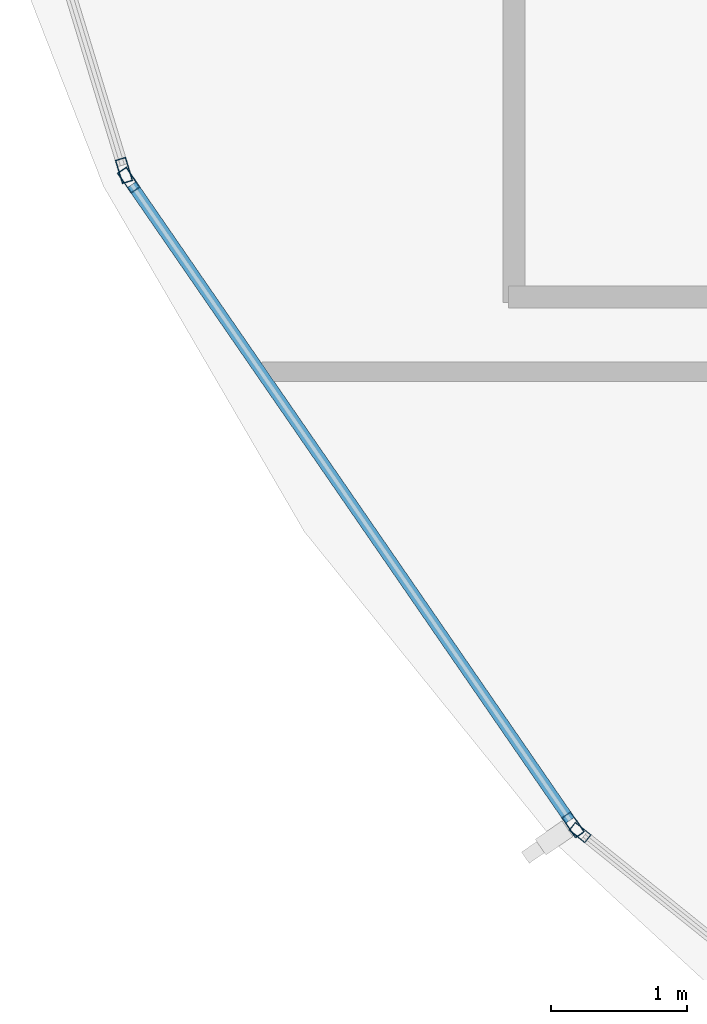
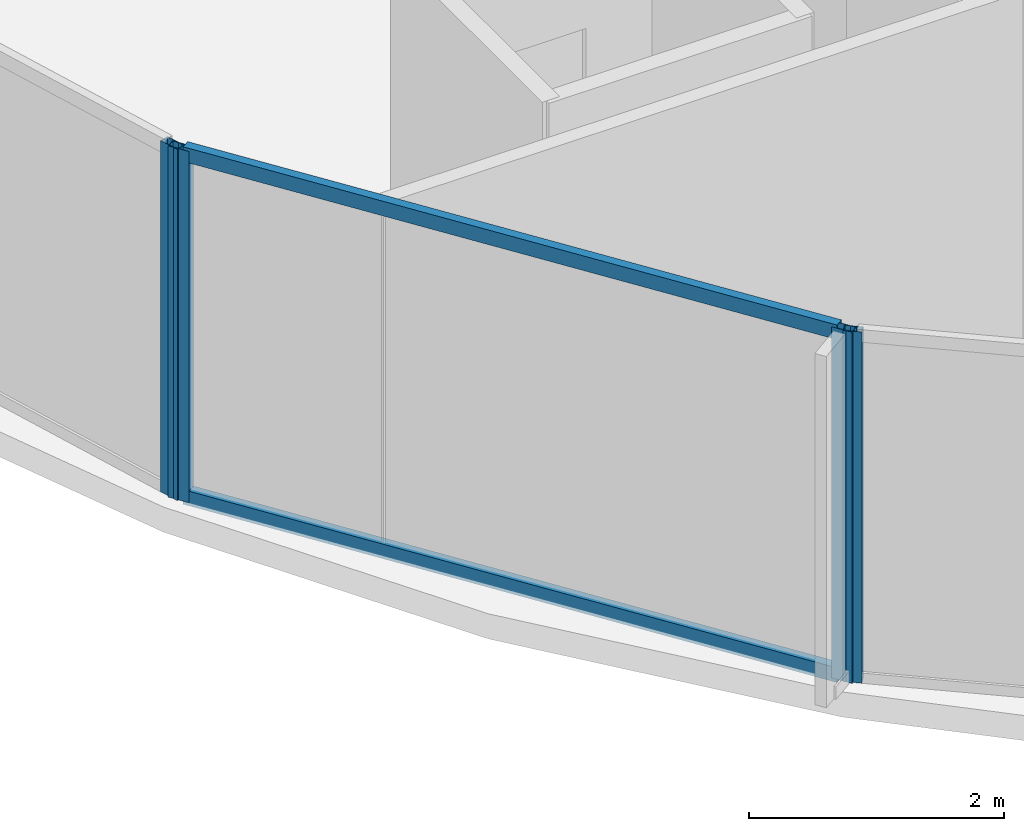
# One storey, part 3 of 33: 6 members, 3 elements without a shape of their own.
"""IFC4 building model written with IfcOpenShell, lengths in metres."""

from ifc_helpers import new_model, si_unit, direction, frame, origin, origin_2d, place, context, subcontext, project, spatial, hollow_rectangle, extrude, material, layer, layer_set, material_profile, profile_set, type_object, element, aggregate, save


model = new_model("IFC4")

# Units and contexts
model_context = context("Model", 3, precision=1e-05, world=origin(), true_north=direction((0.0, 1.0)))
body_context = subcontext(model_context, "Body", "Model", "MODEL_VIEW")
ifc_project = project(units=[si_unit("LENGTHUNIT", "METRE"), si_unit("AREAUNIT", "SQUARE_METRE"), si_unit("VOLUMEUNIT", "CUBIC_METRE"), si_unit("PLANEANGLEUNIT", "RADIAN"), si_unit("MASSUNIT", "GRAM", prefix="KILO")], contexts=[model_context])

# Site, building, storey
site_placement = place(None, origin())
site = spatial("IfcSite", under=ifc_project, at=site_placement, CompositionType="ELEMENT")
building_placement = place(site_placement, origin())
building = spatial("IfcBuilding", under=site, at=building_placement, Name="Kazevale Care Tower and Concert Hall", CompositionType="ELEMENT")
storey_placement = place(building_placement, frame((0.0, 0.0, 145.800048828125)))
storey = spatial("IfcBuildingStorey", under=building, at=storey_placement, Name="L38", CompositionType="ELEMENT", Elevation=145.800048828125)

# Curtain wall, members
ifc_material_1 = material(Name="Aluminium 6063-T6 and Low-E Glass", Category="aluminium")
ifc_layer_1 = layer(ifc_material_1, 0.179931640625)
ifc_layer_set_1 = layer_set([ifc_layer_1], Name="Aluminium 6063-T6 and Low-E Glass")
curtain_wall_type_1 = type_object("IfcCurtainWallType", Name="Waist & Upper Residential Curtain Wall CW-4", PredefinedType="NOTDEFINED", material=ifc_layer_set_1)
curtain_wall_1_placement = place(storey_placement, origin())
curtain_wall_1 = element("IfcCurtainWall", 1, at=curtain_wall_1_placement, inside=storey, type_object=curtain_wall_type_1, Name="cw:L38:f11", PredefinedType="NOTDEFINED")
ifc_material_2 = material(Name="Aluminium 6063-T6", Category="aluminium")
ifc_material_profile_1 = material_profile(ifc_material_2, hollow_rectangle(XDim=0.080078125, YDim=0.179931640625, WallThickness=0.0048828125, at=origin_2d()), Name="ALU80x180x5")
ifc_profile_set_1 = profile_set([ifc_material_profile_1], Name="Aluminium 6063-T6")
member_type_1 = type_object("IfcMemberType", Name="CW-4 Mullion ALU80x180x5", PredefinedType="MULLION", material=ifc_profile_set_1)
member_1_placement = place(storey_placement, frame((15.981201171875, 24.6708984375, 0.0), z_axis=(0.0, 0.0, 1.0), x_axis=(-0.823326035997, -0.567568708131, 0.0)))
member_1 = element("IfcMember", 2, at=member_1_placement, type_object=member_type_1, Name="CW-4 mullion 1", PredefinedType="MULLION", context=body_context, shape_type="SweptSolid", body=[
    extrude(hollow_rectangle(XDim=0.080078125, YDim=0.179931640625, WallThickness=0.0048828125, at=origin_2d()), origin(), (0.0, 0.0, 1.0), 3.35986328125),
])
member_2_placement = place(storey_placement, frame((12.7158203125, 29.407958984375, 0.0), z_axis=(0.0, 0.0, 1.0), x_axis=(-0.823326035997, -0.567568708131, 0.0)))
member_2 = element("IfcMember", 3, at=member_2_placement, type_object=member_type_1, Name="CW-4 mullion 2", PredefinedType="MULLION", context=body_context, shape_type="SweptSolid", body=[
    extrude(hollow_rectangle(XDim=0.080078125, YDim=0.179931640625, WallThickness=0.0048828125, at=origin_2d()), origin(), (0.0, 0.0, 1.0), 3.35986328125),
])

# Curtain wall, member
curtain_wall_2_placement = place(storey_placement, origin())
curtain_wall_2 = element("IfcCurtainWall", 4, at=curtain_wall_2_placement, inside=storey, type_object=curtain_wall_type_1, Name="cw:L38:f12", PredefinedType="NOTDEFINED")
member_3_placement = place(storey_placement, frame((12.681396484375, 29.479248046875, 0.0), z_axis=(0.0, 0.0, 1.0), x_axis=(-0.956729897234, -0.290977496961, 0.0)))
member_3 = element("IfcMember", 5, at=member_3_placement, type_object=member_type_1, Name="CW-4 mullion 1", PredefinedType="MULLION", context=body_context, shape_type="SweptSolid", body=[
    extrude(hollow_rectangle(XDim=0.080078125, YDim=0.179931640625, WallThickness=0.0048828125, at=origin_2d()), origin(), (0.0, 0.0, 1.0), 3.35986328125),
])
aggregate(curtain_wall_2, [member_3])

# Member
ifc_material_profile_2 = material_profile(ifc_material_2, hollow_rectangle(XDim=0.080078125, YDim=0.139892578125, WallThickness=0.00390625, at=origin_2d()), Name="ALU80x140x4")
ifc_profile_set_2 = profile_set([ifc_material_profile_2], Name="Aluminium 6063-T6")
member_type_2 = type_object("IfcMemberType", Name="CW-4 Transom ALU80x140x4", PredefinedType="USERDEFINED", material=ifc_profile_set_2)
member_4_placement = place(storey_placement, frame((15.95849609375, 24.703857421875, 0.0400390625), z_axis=(-0.567532833811, 0.823350765194, 0.0), x_axis=(-0.823350765194, -0.567532833811, 0.0)))
member_4 = element("IfcMember", 6, at=member_4_placement, type_object=member_type_2, Name="CW-4 transom 1.1", ObjectType="TRANSOM", PredefinedType="USERDEFINED", context=body_context, shape_type="SweptSolid", body=[
    extrude(hollow_rectangle(XDim=0.080078125, YDim=0.139892578125, WallThickness=0.00390625, at=origin_2d()), origin(), (0.0, 0.0, 1.0), 5.673583984375),
])

member_5_placement = place(storey_placement, frame((15.95849609375, 24.703857421875, 3.320068359375), z_axis=(-0.567532833811, 0.823350765194, 0.0), x_axis=(-0.823350765194, -0.567532833811, 0.0)))
member_5 = element("IfcMember", 7, at=member_5_placement, type_object=member_type_2, Name="CW-4 transom 1.2", ObjectType="TRANSOM", PredefinedType="USERDEFINED", context=body_context, shape_type="SweptSolid", body=[
    extrude(hollow_rectangle(XDim=0.080078125, YDim=0.139892578125, WallThickness=0.00390625, at=origin_2d()), origin(), (0.0, 0.0, 1.0), 5.673583984375),
])

aggregate(curtain_wall_1, [member_1, member_2, member_4, member_5])

# Curtain wall, member
ifc_layer_2 = layer(ifc_material_1, 0.179931640625)
ifc_layer_set_2 = layer_set([ifc_layer_2], Name="Aluminium 6063-T6 and Low-E Glass")
curtain_wall_type_2 = type_object("IfcCurtainWallType", Name="Sheltered Concave Balcony Curtain Wall CW-5", PredefinedType="NOTDEFINED", material=ifc_layer_set_2)
curtain_wall_3_placement = place(storey_placement, origin())
curtain_wall_3 = element("IfcCurtainWall", 8, at=curtain_wall_3_placement, inside=storey, type_object=curtain_wall_type_2, Name="cw:L38:f10", PredefinedType="NOTDEFINED")
ifc_material_profile_3 = material_profile(ifc_material_2, hollow_rectangle(XDim=0.074951171875, YDim=0.14990234375, WallThickness=0.00390625, at=origin_2d()), Name="ALU75x150x4")
ifc_profile_set_3 = profile_set([ifc_material_profile_3], Name="Aluminium 6063-T6")
member_type_3 = type_object("IfcMemberType", Name="CW-5 Mullion ALU75x150x4", PredefinedType="MULLION", material=ifc_profile_set_3)
member_6_placement = place(storey_placement, frame((16.033203125, 24.614501953125, 0.0), z_axis=(0.0, 0.0, 1.0), x_axis=(-0.626905357502, -0.779095419531, 0.0)))
member_6 = element("IfcMember", 9, at=member_6_placement, type_object=member_type_3, Name="CW-5 mullion 2", PredefinedType="MULLION", context=body_context, shape_type="SweptSolid", body=[
    extrude(hollow_rectangle(XDim=0.074951171875, YDim=0.14990234375, WallThickness=0.00390625, at=origin_2d()), origin(), (0.0, 0.0, 1.0), 3.35986328125),
])
aggregate(curtain_wall_3, [member_6])

save(model, "model.ifc")
